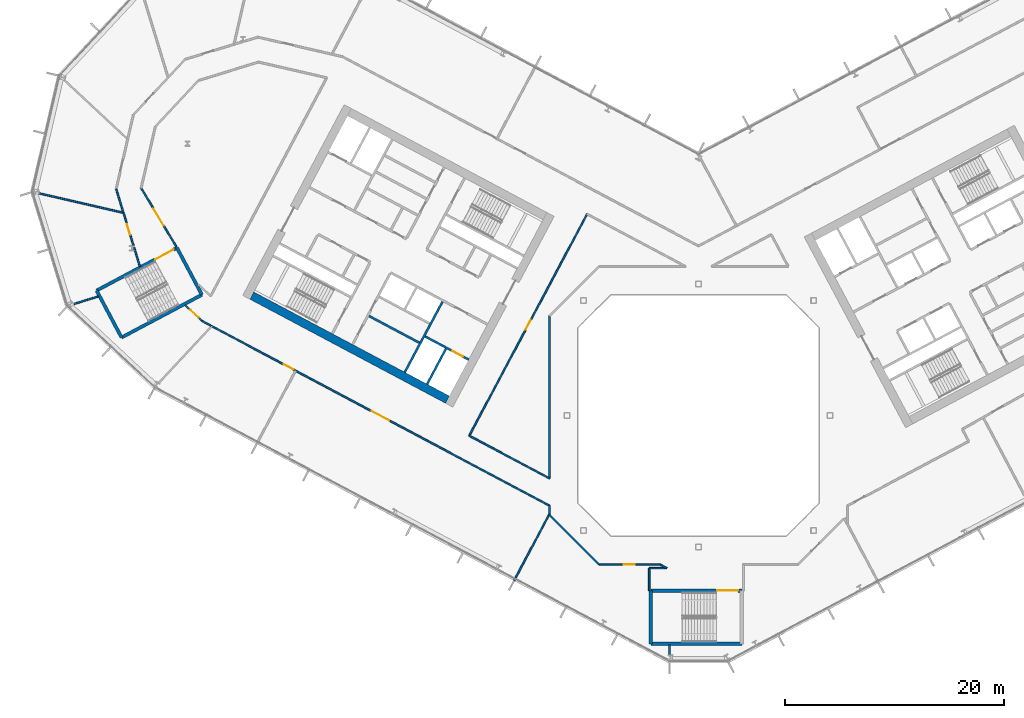
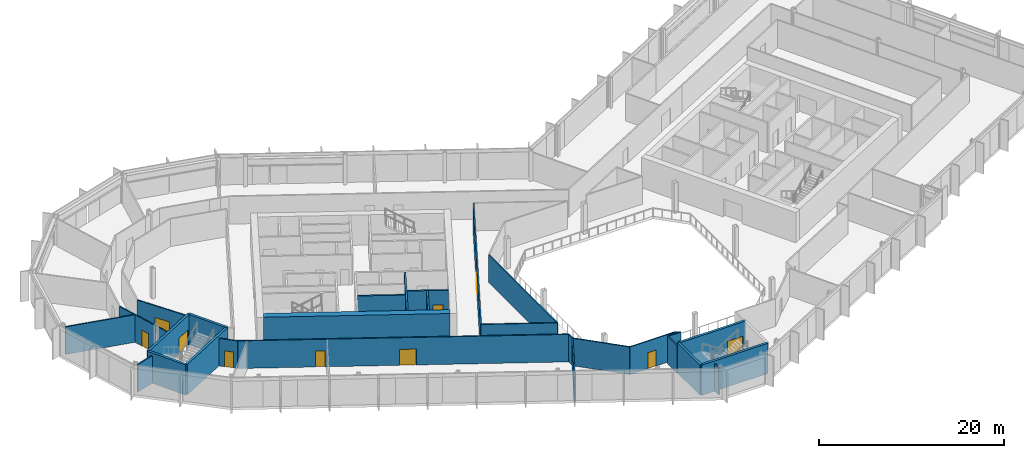
# One storey, part 13 of 28: 32 walls, 10 doors, 10 openings.
"""IFC4 building model written with IfcOpenShell, lengths in metres."""

from ifc_helpers import new_model, si_unit, direction, frame, frame_2d, origin, place, context, subcontext, project, spatial, rectangle, extrude, material, layer, layer_set, type_object, element, fill, save


model = new_model("IFC4")

# Units and contexts
model_context = context("Model", 3, precision=1e-05, world=origin(), true_north=direction((0.0, 1.0)))
body_context = subcontext(model_context, "Body", "Model", "MODEL_VIEW")
ifc_project = project(units=[si_unit("LENGTHUNIT", "METRE"), si_unit("AREAUNIT", "SQUARE_METRE"), si_unit("VOLUMEUNIT", "CUBIC_METRE"), si_unit("PLANEANGLEUNIT", "RADIAN"), si_unit("MASSUNIT", "GRAM", prefix="KILO")], contexts=[model_context])

# Site, building, storey
site_placement = place(None, origin())
site = spatial("IfcSite", under=ifc_project, at=site_placement, CompositionType="ELEMENT")
building_placement = place(site_placement, origin())
building = spatial("IfcBuilding", under=site, at=building_placement, Name="Cormorant Relay Tower", CompositionType="ELEMENT")
storey_placement = place(building_placement, frame((0.0, 0.0, 146.199951171875)))
storey = spatial("IfcBuildingStorey", under=building, at=storey_placement, Name="L30", CompositionType="ELEMENT", Elevation=146.199951171875)

# Walls
ifc_material_1 = material(Name="Concrete 40 MPa", Category="concrete")
ifc_layer_1 = layer(ifc_material_1, 0.199951171875)
ifc_layer_set_1 = layer_set([ifc_layer_1], Name="Core internal wall 200")
wall_type_1 = type_object("IfcWallType", Name="Core internal wall 200", PredefinedType="SOLIDWALL", material=ifc_layer_set_1)
wall_1_placement = place(storey_placement, frame((-25.46728515625, 6.632568359375, 0.0), z_axis=(0.0, 0.0, 1.0), x_axis=(-0.882953967957, 0.469459572775, 0.0)))
element("IfcWall", 1, at=wall_1_placement, inside=storey, type_object=wall_type_1, Name="L30 core A shaft and room wall", PredefinedType="SOLIDWALL", context=body_context, shape_type="SweptSolid", body=[
    extrude(rectangle(XDim=5.199951171875, YDim=0.199951171875, at=frame_2d((2.60009765625, 0.0))), origin(), (0.0, 0.0, 1.0), 4.0),
])
ifc_material_2 = material(Name="Concrete 50 MPa", Category="concrete")
ifc_layer_2 = layer(ifc_material_2, 0.199951171875)
ifc_layer_set_2 = layer_set([ifc_layer_2], Name="Core shaft wall 200")
wall_type_2 = type_object("IfcWallType", Name="Core shaft wall 200", PredefinedType="SHEAR", material=ifc_layer_set_2)
wall_2_placement = place(storey_placement, frame((-23.04296875, 6.07958984375, 0.0), z_axis=(0.0, 0.0, 1.0), x_axis=(-0.469494272526, -0.882935517501, 0.0)))
element("IfcWall", 2, at=wall_2_placement, inside=storey, type_object=wall_type_2, Name="L30 core A shaft wall", PredefinedType="SHEAR", context=body_context, shape_type="SweptSolid", body=[
    extrude(rectangle(XDim=3.64990234375, YDim=0.199951171875, at=frame_2d((1.824951171875, 0.0))), origin(), (0.0, 0.0, 1.0), 4.0),
])
wall_3_placement = place(storey_placement, frame((-23.360107421875, 10.38232421875, 0.0), z_axis=(0.0, 0.0, 1.0), x_axis=(-0.469480409012, -0.88294288918, 0.0)))
element("IfcWall", 3, at=wall_3_placement, inside=storey, type_object=wall_type_2, Name="L30 core A shaft wall", PredefinedType="SHEAR", context=body_context, shape_type="SweptSolid", body=[
    extrude(rectangle(XDim=7.300048828125, YDim=0.199951171875, at=frame_2d((3.64990234375, 0.0))), origin(), (0.0, 0.0, 1.0), 4.0),
])

# Wall, opening, door
wall_4_placement = place(storey_placement, frame((-20.96533203125, 5.088134765625, 0.0), z_axis=(0.0, 0.0, 1.0), x_axis=(-0.882925986334, 0.469512196493, 0.0)))
wall_4 = element("IfcWall", 4, at=wall_4_placement, inside=storey, type_object=wall_type_2, Name="L30 core A shaft wall", PredefinedType="SHEAR", context=body_context, shape_type="SweptSolid", body=[
    extrude(rectangle(XDim=4.5, YDim=0.199951171875, at=frame_2d((2.25, 0.0))), origin(), (0.0, 0.0, 1.0), 4.0),
])
opening_1_placement = place(wall_4_placement, frame((0.60009765625, 0.0, 0.0)))
opening_1 = element("IfcOpeningElement", 5, at=opening_1_placement, cuts=wall_4, Name="Opening LD1-043", PredefinedType="OPENING", context=body_context, shape_type="SweptSolid", body=[
    extrude(rectangle(XDim=1.10009765625, YDim=2.10009765625, at=frame_2d((0.550048828125, 1.050048828125))), frame((0.0, 0.10986328125, 0.0), z_axis=(0.0, -1.0, 0.0), x_axis=(1.0, 0.0, 0.0)), (0.0, 0.0, 1.0), 0.219970703125),
])
ifc_material_3 = material(Name="Stainless steel 316", Category="steel")
door_type_1 = type_object("IfcDoorType", Name="Lift landing door 1100x2100", OperationType="DOUBLE_DOOR_SLIDING", PredefinedType="DOOR", material=ifc_material_3)
door_1_placement = place(opening_1_placement, origin())
door_1 = element("IfcDoor", 6, at=door_1_placement, inside=storey, type_object=door_type_1, Name="FF1 landing door", OperationType="DOUBLE_DOOR_SLIDING", OverallHeight=2.10009765625, OverallWidth=1.10009765625, PredefinedType="DOOR", context=body_context, shape_type="SweptSolid", body=[
    extrude(rectangle(XDim=1.10009765625, YDim=2.10009765625, at=frame_2d((0.550048828125, 1.050048828125))), frame((0.0, 0.02490234375, 0.0), z_axis=(0.0, -1.0, 0.0), x_axis=(1.0, 0.0, 0.0)), (0.0, 0.0, 1.0), 0.050048828125),
])
fill(opening_1, door_1)

# Walls
ifc_material_4 = material(Name="Concrete 60 MPa", Category="concrete")
ifc_layer_3 = layer(ifc_material_4, 0.75)
ifc_layer_set_3 = layer_set([ifc_layer_3], Name="Core wall 750")
wall_type_3 = type_object("IfcWallType", Name="Core wall 750", PredefinedType="SHEAR", material=ifc_layer_set_3)
wall_5_placement = place(storey_placement, frame((-22.90185546875, 1.446044921875, 0.0), z_axis=(0.0, 0.0, 1.0), x_axis=(-0.88294509198, 0.469476266226, 0.0)))
element("IfcWall", 7, at=wall_5_placement, inside=storey, type_object=wall_type_3, Name="L30 core A wall", PredefinedType="SHEAR", context=body_context, shape_type="SweptSolid", body=[
    extrude(rectangle(XDim=20.199951171875, YDim=0.75, at=frame_2d((10.10009765625, 0.0))), origin(), (0.0, 0.0, 1.0), 4.0),
])
ifc_material_5 = material(Name="Gypsum board fire partition")
ifc_layer_4 = layer(ifc_material_5, 0.14990234375)
ifc_layer_set_4 = layer_set([ifc_layer_4], Name="Corridor partition 150 EI 60")
wall_type_4 = type_object("IfcWallType", Name="Corridor partition 150 EI 60", PredefinedType="PARTITIONING", material=ifc_layer_set_4)
wall_6_placement = place(storey_placement, frame((-53.114990234375, 20.658935546875, 0.0), z_axis=(0.0, 0.0, 1.0), x_axis=(0.292062202153, -0.956399325634, 0.0)))
element("IfcWall", 8, at=wall_6_placement, inside=storey, type_object=wall_type_4, Name="wall/L30/part/005", PredefinedType="PARTITIONING", context=body_context, shape_type="SweptSolid", body=[
    extrude(rectangle(XDim=2.221923828125, YDim=0.14990234375, at=frame_2d((1.11083984375, 0.0))), origin(), (0.0, 0.0, 1.0), 3.64013671875),
])
wall_7_placement = place(storey_placement, frame((-50.958984375, 13.60400390625, 0.0), z_axis=(0.0, 0.0, 1.0), x_axis=(-0.292326826569, 0.95631847544, 0.0)))
element("IfcWall", 9, at=wall_7_placement, inside=storey, type_object=wall_type_4, Name="wall/L30/part/006", PredefinedType="PARTITIONING", context=body_context, shape_type="SweptSolid", body=[
    extrude(rectangle(XDim=1.775634765625, YDim=0.14990234375, at=frame_2d((0.8876953125, 0.0))), origin(), (0.0, 0.0, 1.0), 3.64013671875),
])

# Wall, opening, door
wall_8_placement = place(storey_placement, frame((-51.534912109375, 15.489990234375, 0.0), z_axis=(0.0, 0.0, 1.0), x_axis=(-0.292522494411, 0.956258641929, 0.0)))
wall_8 = element("IfcWall", 10, at=wall_8_placement, inside=storey, type_object=wall_type_4, Name="wall/L30/part/007", PredefinedType="PARTITIONING", context=body_context, shape_type="SweptSolid", body=[
    extrude(rectangle(XDim=3.18310546875, YDim=0.14990234375, at=frame_2d((1.591552734375, 0.0))), origin(), (0.0, 0.0, 1.0), 3.64013671875),
])
opening_2_placement = place(wall_8_placement, frame((1.050048828125, 0.0, 0.0)))
opening_2 = element("IfcOpeningElement", 11, at=opening_2_placement, cuts=wall_8, Name="Opening DS-012", PredefinedType="OPENING", context=body_context, shape_type="SweptSolid", body=[
    extrude(rectangle(XDim=1.0, YDim=2.10009765625, at=frame_2d((0.5, 1.050048828125))), frame((0.0, 0.0849609375, 0.0), z_axis=(0.0, -1.0, 0.0), x_axis=(1.0, 0.0, 0.0)), (0.0, 0.0, 1.0), 0.169921875),
])
ifc_material_6 = material(Name="Timber door leaf", Category="wood")
door_type_2 = type_object("IfcDoorType", Name="Suite door 1000x2100", OperationType="SINGLE_SWING_LEFT", PredefinedType="DOOR", material=ifc_material_6)
door_2_placement = place(opening_2_placement, origin())
door_2 = element("IfcDoor", 12, at=door_2_placement, inside=storey, type_object=door_type_2, Name="door/L30/015", OperationType="SINGLE_SWING_LEFT", OverallHeight=2.10009765625, OverallWidth=1.0, PredefinedType="DOOR", context=body_context, shape_type="SweptSolid", body=[
    extrude(rectangle(XDim=1.0, YDim=2.10009765625, at=frame_2d((0.5, 1.050048828125))), frame((0.0, 0.02490234375, 0.0), z_axis=(0.0, -1.0, 0.0), x_axis=(1.0, 0.0, 0.0)), (0.0, 0.0, 1.0), 0.050048828125),
])
fill(opening_2, door_2)

wall_9_placement = place(storey_placement, frame((-47.618896484375, 15.37890625, 0.0), z_axis=(0.0, 0.0, 1.0), x_axis=(-0.515052665436, 0.857158533661, 0.0)))
wall_9 = element("IfcWall", 13, at=wall_9_placement, inside=storey, type_object=wall_type_4, Name="wall/L30/part/015", PredefinedType="PARTITIONING", context=body_context, shape_type="SweptSolid", body=[
    extrude(rectangle(XDim=6.252197265625, YDim=0.14990234375, at=frame_2d((3.1259765625, 0.0))), origin(), (0.0, 0.0, 1.0), 3.64013671875),
])
opening_3_placement = place(wall_9_placement, frame((2.25, 0.0, 0.0)))
opening_3 = element("IfcOpeningElement", 14, at=opening_3_placement, cuts=wall_9, Name="Opening DD-009", PredefinedType="OPENING", context=body_context, shape_type="SweptSolid", body=[
    extrude(rectangle(XDim=1.800048828125, YDim=2.10009765625, at=frame_2d((0.89990234375, 1.050048828125))), frame((0.0, 0.0849609375, 0.0), z_axis=(0.0, -1.0, 0.0), x_axis=(1.0, 0.0, 0.0)), (0.0, 0.0, 1.0), 0.169921875),
])
ifc_material_7 = material(Name="Timber door leaf", Category="wood")
door_type_3 = type_object("IfcDoorType", Name="Suite double door 1800x2100", OperationType="DOUBLE_DOOR_SINGLE_SWING", PredefinedType="DOOR", material=ifc_material_7)
door_3_placement = place(opening_3_placement, frame((1.800048828125, 0.0, 0.0), z_axis=(0.0, 0.0, 1.0), x_axis=(-1.0, 0.0, 0.0)))
door_3 = element("IfcDoor", 15, at=door_3_placement, inside=storey, type_object=door_type_3, Name="door/L30/001", OperationType="DOUBLE_DOOR_SINGLE_SWING", OverallHeight=2.10009765625, OverallWidth=1.800048828125, PredefinedType="DOOR", context=body_context, shape_type="SweptSolid", body=[
    extrude(rectangle(XDim=1.800048828125, YDim=2.10009765625, at=frame_2d((0.89990234375, 1.050048828125))), frame((0.0, 0.02490234375, 0.0), z_axis=(0.0, -1.0, 0.0), x_axis=(1.0, 0.0, 0.0)), (0.0, 0.0, 1.0), 0.050048828125),
])
fill(opening_3, door_3)

# Wall
wall_10_placement = place(storey_placement, frame((-44.4619140625, 8.180908203125, 0.0), z_axis=(0.0, 0.0, 1.0), x_axis=(-0.882750253305, 0.469842516478, 0.0)))
element("IfcWall", 16, at=wall_10_placement, inside=storey, type_object=wall_type_4, Name="wall/L30/part/022", PredefinedType="PARTITIONING", context=body_context, shape_type="SweptSolid", body=[
    extrude(rectangle(XDim=0.934814453125, YDim=0.14990234375, at=frame_2d((0.46728515625, 0.0))), origin(), (0.0, 0.0, 1.0), 3.64013671875),
])

# Wall, opening, door
wall_11_placement = place(storey_placement, frame((-45.287109375, 8.6201171875, 0.0), z_axis=(0.0, 0.0, 1.0), x_axis=(-0.731593637228, 0.681740969846, 0.0)))
wall_11 = element("IfcWall", 17, at=wall_11_placement, inside=storey, type_object=wall_type_4, Name="wall/L30/part/023", PredefinedType="PARTITIONING", context=body_context, shape_type="SweptSolid", body=[
    extrude(rectangle(XDim=2.12548828125, YDim=0.14990234375, at=frame_2d((1.062744140625, 0.0))), origin(), (0.0, 0.0, 1.0), 3.64013671875),
])
opening_4_placement = place(wall_11_placement, frame((0.449951171875, 0.0, 0.0)))
opening_4 = element("IfcOpeningElement", 18, at=opening_4_placement, cuts=wall_11, Name="Opening DS-013", PredefinedType="OPENING", context=body_context, shape_type="SweptSolid", body=[
    extrude(rectangle(XDim=1.0, YDim=2.10009765625, at=frame_2d((0.5, 1.050048828125))), frame((0.0, 0.0849609375, 0.0), z_axis=(0.0, -1.0, 0.0), x_axis=(1.0, 0.0, 0.0)), (0.0, 0.0, 1.0), 0.169921875),
])
door_4_placement = place(opening_4_placement, origin())
door_4 = element("IfcDoor", 19, at=door_4_placement, inside=storey, type_object=door_type_2, Name="door/L30/016", OperationType="SINGLE_SWING_RIGHT", OverallHeight=2.10009765625, OverallWidth=1.0, PredefinedType="DOOR", context=body_context, shape_type="SweptSolid", body=[
    extrude(rectangle(XDim=1.0, YDim=2.10009765625, at=frame_2d((0.5, 1.050048828125))), frame((0.0, 0.02490234375, 0.0), z_axis=(0.0, -1.0, 0.0), x_axis=(1.0, 0.0, 0.0)), (0.0, 0.0, 1.0), 0.050048828125),
])
fill(opening_4, door_4)

# Wall, openings, doors
wall_12_placement = place(storey_placement, frame((-13.60009765625, -8.22802734375, 0.0), z_axis=(0.0, 0.0, 1.0), x_axis=(-0.882954510497, 0.469458552369, 0.0)))
wall_12 = element("IfcWall", 20, at=wall_12_placement, inside=storey, type_object=wall_type_4, Name="wall/L30/part/024", PredefinedType="PARTITIONING", context=body_context, shape_type="SweptSolid", body=[
    extrude(rectangle(XDim=34.952880859375, YDim=0.14990234375, at=frame_2d((17.4765625, 0.0))), origin(), (0.0, 0.0, 1.0), 3.64013671875),
])
opening_5_placement = place(wall_12_placement, frame((26.449951171875, 0.0, 0.0)))
opening_5 = element("IfcOpeningElement", 21, at=opening_5_placement, cuts=wall_12, Name="Opening DS-042", PredefinedType="OPENING", context=body_context, shape_type="SweptSolid", body=[
    extrude(rectangle(XDim=1.0, YDim=2.10009765625, at=frame_2d((0.5, 1.050048828125))), frame((0.0, 0.0849609375, 0.0), z_axis=(0.0, -1.0, 0.0), x_axis=(1.0, 0.0, 0.0)), (0.0, 0.0, 1.0), 0.169921875),
])
opening_6_placement = place(wall_12_placement, frame((16.550048828125, 0.0, 0.0)))
opening_6 = element("IfcOpeningElement", 22, at=opening_6_placement, cuts=wall_12, Name="Opening DD-012", PredefinedType="OPENING", context=body_context, shape_type="SweptSolid", body=[
    extrude(rectangle(XDim=1.800048828125, YDim=2.10009765625, at=frame_2d((0.89990234375, 1.050048828125))), frame((0.0, 0.0849609375, 0.0), z_axis=(0.0, -1.0, 0.0), x_axis=(1.0, 0.0, 0.0)), (0.0, 0.0, 1.0), 0.169921875),
])
door_5_placement = place(opening_5_placement, origin())
door_5 = element("IfcDoor", 23, at=door_5_placement, inside=storey, type_object=door_type_2, Name="door/L30/017", OperationType="SINGLE_SWING_LEFT", OverallHeight=2.10009765625, OverallWidth=1.0, PredefinedType="DOOR", context=body_context, shape_type="SweptSolid", body=[
    extrude(rectangle(XDim=1.0, YDim=2.10009765625, at=frame_2d((0.5, 1.050048828125))), frame((0.0, 0.02490234375, 0.0), z_axis=(0.0, -1.0, 0.0), x_axis=(1.0, 0.0, 0.0)), (0.0, 0.0, 1.0), 0.050048828125),
])
fill(opening_5, door_5)
door_6_placement = place(opening_6_placement, origin())
door_6 = element("IfcDoor", 24, at=door_6_placement, inside=storey, type_object=door_type_3, Name="door/L30/018", OperationType="DOUBLE_DOOR_SINGLE_SWING", OverallHeight=2.10009765625, OverallWidth=1.800048828125, PredefinedType="DOOR", context=body_context, shape_type="SweptSolid", body=[
    extrude(rectangle(XDim=1.800048828125, YDim=2.10009765625, at=frame_2d((0.89990234375, 1.050048828125))), frame((0.0, 0.02490234375, 0.0), z_axis=(0.0, -1.0, 0.0), x_axis=(1.0, 0.0, 0.0)), (0.0, 0.0, 1.0), 0.050048828125),
])
fill(opening_6, door_6)

# Wall
wall_13_placement = place(storey_placement, frame((-13.60009765625, -8.22802734375, 0.0), z_axis=(0.0, 0.0, 1.0), x_axis=(0.0, -1.0, 0.0)))
element("IfcWall", 25, at=wall_13_placement, inside=storey, type_object=wall_type_4, Name="wall/L30/part/035", PredefinedType="PARTITIONING", context=body_context, shape_type="SweptSolid", body=[
    extrude(rectangle(XDim=0.77001953125, YDim=0.14990234375, at=frame_2d((0.385009765625, 0.0))), origin(), (0.0, 0.0, 1.0), 3.64013671875),
])

# Wall, opening, door
wall_14_placement = place(storey_placement, frame((-3.447021484375, -13.60009765625, 0.0), z_axis=(0.0, 0.0, 1.0), x_axis=(-1.0, 0.0, 0.0)))
wall_14 = element("IfcWall", 26, at=wall_14_placement, inside=storey, type_object=wall_type_4, Name="wall/L30/part/038", PredefinedType="PARTITIONING", context=body_context, shape_type="SweptSolid", body=[
    extrude(rectangle(XDim=5.6298828125, YDim=0.14990234375, at=frame_2d((2.81494140625, 0.0))), origin(), (0.0, 0.0, 1.0), 3.64013671875),
])
opening_7_placement = place(wall_14_placement, frame((2.385986328125, 0.0, 0.0)))
opening_7 = element("IfcOpeningElement", 27, at=opening_7_placement, cuts=wall_14, Name="Opening DS-043", PredefinedType="OPENING", context=body_context, shape_type="SweptSolid", body=[
    extrude(rectangle(XDim=1.0, YDim=2.10009765625, at=frame_2d((0.5, 1.050048828125))), frame((0.0, 0.0849609375, 0.0), z_axis=(0.0, -1.0, 0.0), x_axis=(1.0, 0.0, 0.0)), (0.0, 0.0, 1.0), 0.169921875),
])
door_7_placement = place(opening_7_placement, origin())
door_7 = element("IfcDoor", 28, at=door_7_placement, inside=storey, type_object=door_type_2, Name="door/L30/019", OperationType="SINGLE_SWING_LEFT", OverallHeight=2.10009765625, OverallWidth=1.0, PredefinedType="DOOR", context=body_context, shape_type="SweptSolid", body=[
    extrude(rectangle(XDim=1.0, YDim=2.10009765625, at=frame_2d((0.5, 1.050048828125))), frame((0.0, 0.02490234375, 0.0), z_axis=(0.0, -1.0, 0.0), x_axis=(1.0, 0.0, 0.0)), (0.0, 0.0, 1.0), 0.050048828125),
])
fill(opening_7, door_7)

# Walls
wall_15_placement = place(storey_placement, frame((-9.076904296875, -13.60009765625, 0.0), z_axis=(0.0, 0.0, 1.0), x_axis=(-0.707106781187, 0.707106781187, 0.0)))
element("IfcWall", 29, at=wall_15_placement, inside=storey, type_object=wall_type_4, Name="wall/L30/part/039", PredefinedType="PARTITIONING", context=body_context, shape_type="SweptSolid", body=[
    extrude(rectangle(XDim=6.396728515625, YDim=0.14990234375, at=frame_2d((3.1982421875, 0.0))), origin(), (0.0, 0.0, 1.0), 3.64013671875),
])
wall_16_placement = place(storey_placement, frame((-4.5, -15.97509765625, 0.0), z_axis=(0.0, 0.0, 1.0), x_axis=(0.0, 1.0, 0.0)))
element("IfcWall", 30, at=wall_16_placement, inside=storey, type_object=wall_type_4, Name="wall/L30/part/040", PredefinedType="PARTITIONING", context=body_context, shape_type="SweptSolid", body=[
    extrude(rectangle(XDim=2.050048828125, YDim=0.14990234375, at=frame_2d((1.02490234375, 0.0))), origin(), (0.0, 0.0, 1.0), 3.64013671875),
])
wall_17_placement = place(storey_placement, frame((-2.908935546875, -13.925048828125, 0.0), z_axis=(0.0, 0.0, 1.0), x_axis=(-0.999999811638, -0.000613779231, 0.0)))
element("IfcWall", 31, at=wall_17_placement, inside=storey, type_object=wall_type_4, Name="wall/L30/part/041", PredefinedType="PARTITIONING", context=body_context, shape_type="SweptSolid", body=[
    extrude(rectangle(XDim=1.591064453125, YDim=0.14990234375, at=frame_2d((0.79541015625, 0.0))), origin(), (0.0, 0.0, 1.0), 3.64013671875),
])
wall_18_placement = place(storey_placement, frame((-2.885986328125, -13.925048828125, 0.0), z_axis=(0.0, 0.0, 1.0), x_axis=(-0.882928394432, 0.469507667994, 0.0)))
element("IfcWall", 32, at=wall_18_placement, inside=storey, type_object=wall_type_4, Name="wall/L30/part/042", PredefinedType="PARTITIONING", context=body_context, shape_type="SweptSolid", body=[
    extrude(rectangle(XDim=0.692138671875, YDim=0.14990234375, at=frame_2d((0.34619140625, 0.0))), origin(), (0.0, 0.0, 1.0), 3.64013671875),
])

# Wall, opening, door
wall_19_placement = place(storey_placement, frame((-20.9150390625, -1.846923828125, 0.0), z_axis=(0.0, 0.0, 1.0), x_axis=(0.469483365134, 0.882941317338, 0.0)))
wall_19 = element("IfcWall", 33, at=wall_19_placement, inside=storey, type_object=wall_type_4, Name="wall/L30/part/069", PredefinedType="PARTITIONING", context=body_context, shape_type="SweptSolid", body=[
    extrude(rectangle(XDim=22.899658203125, YDim=0.14990234375, at=frame_2d((11.44970703125, 0.0))), origin(), (0.0, 0.0, 1.0), 3.64013671875),
])
opening_8_placement = place(wall_19_placement, frame((10.949951171875, 0.0, 0.0)))
opening_8 = element("IfcOpeningElement", 34, at=opening_8_placement, cuts=wall_19, Name="Opening DS-035", PredefinedType="OPENING", context=body_context, shape_type="SweptSolid", body=[
    extrude(rectangle(XDim=1.0, YDim=2.10009765625, at=frame_2d((0.5, 1.050048828125))), frame((0.0, 0.0849609375, 0.0), z_axis=(0.0, -1.0, 0.0), x_axis=(1.0, 0.0, 0.0)), (0.0, 0.0, 1.0), 0.169921875),
])
door_8_placement = place(opening_8_placement, frame((1.0, 0.0, 0.0), z_axis=(0.0, 0.0, 1.0), x_axis=(-1.0, 0.0, 0.0)))
door_8 = element("IfcDoor", 35, at=door_8_placement, inside=storey, type_object=door_type_2, Name="door/L30/002", OperationType="SINGLE_SWING_LEFT", OverallHeight=2.10009765625, OverallWidth=1.0, PredefinedType="DOOR", context=body_context, shape_type="SweptSolid", body=[
    extrude(rectangle(XDim=1.0, YDim=2.10009765625, at=frame_2d((0.5, 1.050048828125))), frame((0.0, 0.02490234375, 0.0), z_axis=(0.0, -1.0, 0.0), x_axis=(1.0, 0.0, 0.0)), (0.0, 0.0, 1.0), 0.050048828125),
])
fill(opening_8, door_8)

# Walls
wall_20_placement = place(storey_placement, frame((-13.60009765625, 9.076904296875, 0.0), z_axis=(0.0, 0.0, 1.0), x_axis=(0.0, -1.0, 0.0)))
element("IfcWall", 36, at=wall_20_placement, inside=storey, type_object=wall_type_4, Name="wall/L30/part/073", PredefinedType="PARTITIONING", context=body_context, shape_type="SweptSolid", body=[
    extrude(rectangle(XDim=14.81396484375, YDim=0.14990234375, at=frame_2d((7.406982421875, 0.0))), origin(), (0.0, 0.0, 1.0), 3.64013671875),
])
wall_21_placement = place(storey_placement, frame((-13.60009765625, -5.737060546875, 0.0), z_axis=(0.0, 0.0, 1.0), x_axis=(-0.882911898193, 0.469538688533, 0.0)))
element("IfcWall", 37, at=wall_21_placement, inside=storey, type_object=wall_type_4, Name="wall/L30/part/074", PredefinedType="PARTITIONING", context=body_context, shape_type="SweptSolid", body=[
    extrude(rectangle(XDim=8.284912109375, YDim=0.14990234375, at=frame_2d((4.142578125, 0.0))), origin(), (0.0, 0.0, 1.0), 3.64013671875),
])
ifc_material_8 = material(Name="Concrete 50 MPa", Category="concrete")
ifc_layer_5 = layer(ifc_material_8, 0.300048828125)
ifc_layer_set_5 = layer_set([ifc_layer_5], Name="Remote stair wall 300")
wall_type_5 = type_object("IfcWallType", Name="Remote stair wall 300", PredefinedType="SHEAR", material=ifc_layer_set_5)
wall_22_placement = place(storey_placement, frame((3.949951171875, -20.824951171875, 0.0), z_axis=(0.0, 0.0, 1.0), x_axis=(-1.0, 0.0, 0.0)))
element("IfcWall", 38, at=wall_22_placement, inside=storey, type_object=wall_type_5, Name="L30 exit stair RK1 wall", PredefinedType="SHEAR", context=body_context, shape_type="SweptSolid", body=[
    extrude(rectangle(XDim=8.300048828125, YDim=0.300048828125, at=frame_2d((4.14990234375, 0.0))), origin(), (0.0, 0.0, 1.0), 4.0),
])
wall_23_placement = place(storey_placement, frame((-4.35009765625, -20.824951171875, 0.0), z_axis=(0.0, 0.0, 1.0), x_axis=(0.0, 1.0, 0.0)))
element("IfcWall", 39, at=wall_23_placement, inside=storey, type_object=wall_type_5, Name="L30 exit stair RK1 wall", PredefinedType="SHEAR", context=body_context, shape_type="SweptSolid", body=[
    extrude(rectangle(XDim=4.849853515625, YDim=0.300048828125, at=frame_2d((2.4248046875, 0.0))), origin(), (0.0, 0.0, 1.0), 4.0),
])

# Wall, opening, door
wall_24_placement = place(storey_placement, frame((-4.35009765625, -15.97509765625, 0.0), z_axis=(0.0, 0.0, 1.0), x_axis=(1.0, 0.0, 0.0)))
wall_24 = element("IfcWall", 40, at=wall_24_placement, inside=storey, type_object=wall_type_5, Name="L30 exit stair RK1 wall", PredefinedType="SHEAR", context=body_context, shape_type="SweptSolid", body=[
    extrude(rectangle(XDim=8.300048828125, YDim=0.300048828125, at=frame_2d((4.14990234375, 0.0))), origin(), (0.0, 0.0, 1.0), 4.0),
])
opening_9_placement = place(wall_24_placement, frame((6.050048828125, 0.0, 0.0)))
opening_9 = element("IfcOpeningElement", 41, at=opening_9_placement, cuts=wall_24, Name="Opening CDE-012", PredefinedType="OPENING", context=body_context, shape_type="SweptSolid", body=[
    extrude(rectangle(XDim=1.89990234375, YDim=2.10009765625, at=frame_2d((0.949951171875, 1.050048828125))), frame((0.0, 0.159912109375, 0.0), z_axis=(0.0, -1.0, 0.0), x_axis=(1.0, 0.0, 0.0)), (0.0, 0.0, 1.0), 0.320068359375),
])
ifc_material_9 = material(Name="Steel fire door", Category="steel")
door_type_4 = type_object("IfcDoorType", Name="Remote stair door 1900x2100", OperationType="DOUBLE_DOOR_SINGLE_SWING", PredefinedType="DOOR", material=ifc_material_9)
door_9_placement = place(opening_9_placement, frame((1.89990234375, 0.0, 0.0), z_axis=(0.0, 0.0, 1.0), x_axis=(-1.0, 0.0, 0.0)))
door_9 = element("IfcDoor", 42, at=door_9_placement, inside=storey, type_object=door_type_4, Name="Exit stair RK1 door", OperationType="DOUBLE_DOOR_SINGLE_SWING", OverallHeight=2.10009765625, OverallWidth=1.89990234375, PredefinedType="DOOR", context=body_context, shape_type="SweptSolid", body=[
    extrude(rectangle(XDim=1.89990234375, YDim=2.10009765625, at=frame_2d((0.949951171875, 1.050048828125))), frame((0.0, 0.02490234375, 0.0), z_axis=(0.0, -1.0, 0.0), x_axis=(1.0, 0.0, 0.0)), (0.0, 0.0, 1.0), 0.050048828125),
])
fill(opening_9, door_9)

# Walls
wall_25_placement = place(storey_placement, frame((-47.57421875, 15.28955078125, 0.0), z_axis=(0.0, 0.0, 1.0), x_axis=(0.469443498566, -0.882962514297, 0.0)))
element("IfcWall", 43, at=wall_25_placement, inside=storey, type_object=wall_type_5, Name="L30 exit stair RP1 wall", PredefinedType="SHEAR", context=body_context, shape_type="SweptSolid", body=[
    extrude(rectangle(XDim=4.85009765625, YDim=0.300048828125, at=frame_2d((2.425048828125, 0.0))), origin(), (0.0, 0.0, 1.0), 4.0),
])
wall_26_placement = place(storey_placement, frame((-45.29736328125, 11.007080078125, 0.0), z_axis=(0.0, 0.0, 1.0), x_axis=(-0.882951519127, -0.469464178475, 0.0)))
element("IfcWall", 44, at=wall_26_placement, inside=storey, type_object=wall_type_5, Name="L30 exit stair RP1 wall", PredefinedType="SHEAR", context=body_context, shape_type="SweptSolid", body=[
    extrude(rectangle(XDim=8.2998046875, YDim=0.300048828125, at=frame_2d((4.14990234375, 0.0))), origin(), (0.0, 0.0, 1.0), 4.0),
])
wall_27_placement = place(storey_placement, frame((-52.625732421875, 7.110595703125, 0.0), z_axis=(0.0, 0.0, 1.0), x_axis=(-0.469464364128, 0.882951420416, 0.0)))
element("IfcWall", 45, at=wall_27_placement, inside=storey, type_object=wall_type_5, Name="L30 exit stair RP1 wall", PredefinedType="SHEAR", context=body_context, shape_type="SweptSolid", body=[
    extrude(rectangle(XDim=4.849853515625, YDim=0.300048828125, at=frame_2d((2.4248046875, 0.0))), origin(), (0.0, 0.0, 1.0), 4.0),
])

# Wall, opening, door
wall_28_placement = place(storey_placement, frame((-54.902587890625, 11.392822265625, 0.0), z_axis=(0.0, 0.0, 1.0), x_axis=(0.882939326045, 0.469487110071, 0.0)))
wall_28 = element("IfcWall", 46, at=wall_28_placement, inside=storey, type_object=wall_type_5, Name="L30 exit stair RP1 wall", PredefinedType="SHEAR", context=body_context, shape_type="SweptSolid", body=[
    extrude(rectangle(XDim=8.300048828125, YDim=0.300048828125, at=frame_2d((4.14990234375, 0.0))), origin(), (0.0, 0.0, 1.0), 4.0),
])
opening_10_placement = place(wall_28_placement, frame((6.050048828125, 0.0, 0.0)))
opening_10 = element("IfcOpeningElement", 47, at=opening_10_placement, cuts=wall_28, Name="Opening CDE-013", PredefinedType="OPENING", context=body_context, shape_type="SweptSolid", body=[
    extrude(rectangle(XDim=1.89990234375, YDim=2.10009765625, at=frame_2d((0.949951171875, 1.050048828125))), frame((0.0, 0.159912109375, 0.0), z_axis=(0.0, -1.0, 0.0), x_axis=(1.0, 0.0, 0.0)), (0.0, 0.0, 1.0), 0.320068359375),
])
door_10_placement = place(opening_10_placement, frame((1.89990234375, 0.0, 0.0), z_axis=(0.0, 0.0, 1.0), x_axis=(-1.0, 0.0, 0.0)))
door_10 = element("IfcDoor", 48, at=door_10_placement, inside=storey, type_object=door_type_4, Name="Exit stair RP1 door", OperationType="DOUBLE_DOOR_SINGLE_SWING", OverallHeight=2.10009765625, OverallWidth=1.89990234375, PredefinedType="DOOR", context=body_context, shape_type="SweptSolid", body=[
    extrude(rectangle(XDim=1.89990234375, YDim=2.10009765625, at=frame_2d((0.949951171875, 1.050048828125))), frame((0.0, 0.02490234375, 0.0), z_axis=(0.0, -1.0, 0.0), x_axis=(1.0, 0.0, 0.0)), (0.0, 0.0, 1.0), 0.050048828125),
])
fill(opening_10, door_10)

# Walls
ifc_material_10 = material(Name="Gypsum board partition")
ifc_layer_6 = layer(ifc_material_10, 0.14990234375)
ifc_layer_set_6 = layer_set([ifc_layer_6], Name="Tenant partition 150")
wall_type_6 = type_object("IfcWallType", Name="Tenant partition 150", PredefinedType="PARTITIONING", material=ifc_layer_set_6)
wall_29_placement = place(storey_placement, frame((-52.449951171875, 18.48388671875, 0.0), z_axis=(0.0, 0.0, 1.0), x_axis=(-0.974348948829, 0.225042498023, 0.0)))
element("IfcWall", 49, at=wall_29_placement, inside=storey, type_object=wall_type_6, Name="wall/L30/part/001", PredefinedType="PARTITIONING", context=body_context, shape_type="SweptSolid", body=[
    extrude(rectangle(XDim=7.892333984375, YDim=0.14990234375, at=frame_2d((3.9462890625, 0.0))), origin(), (0.0, 0.0, 1.0), 3.64013671875),
])
wall_30_placement = place(storey_placement, frame((-54.73193359375, 10.85693359375, 0.0), z_axis=(0.0, 0.0, 1.0), x_axis=(-0.956196980242, -0.292723991119, 0.0)))
element("IfcWall", 50, at=wall_30_placement, inside=storey, type_object=wall_type_6, Name="wall/L30/part/003", PredefinedType="PARTITIONING", context=body_context, shape_type="SweptSolid", body=[
    extrude(rectangle(XDim=2.343505859375, YDim=0.14990234375, at=frame_2d((1.171875, 0.0))), origin(), (0.0, 0.0, 1.0), 3.64013671875),
])
wall_31_placement = place(storey_placement, frame((-13.60009765625, -8.998046875, 0.0), z_axis=(0.0, 0.0, 1.0), x_axis=(-0.469531053644, -0.882915958438, 0.0)))
element("IfcWall", 51, at=wall_31_placement, inside=storey, type_object=wall_type_6, Name="wall/L30/part/036", PredefinedType="PARTITIONING", context=body_context, shape_type="SweptSolid", body=[
    extrude(rectangle(XDim=6.870361328125, YDim=0.14990234375, at=frame_2d((3.43505859375, 0.0))), origin(), (0.0, 0.0, 1.0), 3.64013671875),
])
wall_32_placement = place(storey_placement, frame((-2.64892578125, -20.925048828125, 0.0), z_axis=(0.0, 0.0, 1.0), x_axis=(0.0, -1.0, 0.0)))
element("IfcWall", 52, at=wall_32_placement, inside=storey, type_object=wall_type_6, Name="wall/L30/part/043", PredefinedType="PARTITIONING", context=body_context, shape_type="SweptSolid", body=[
    extrude(rectangle(XDim=0.90283203125, YDim=0.14990234375, at=frame_2d((0.451416015625, 0.0))), origin(), (0.0, 0.0, 1.0), 3.64013671875),
])

save(model, "model.ifc")
